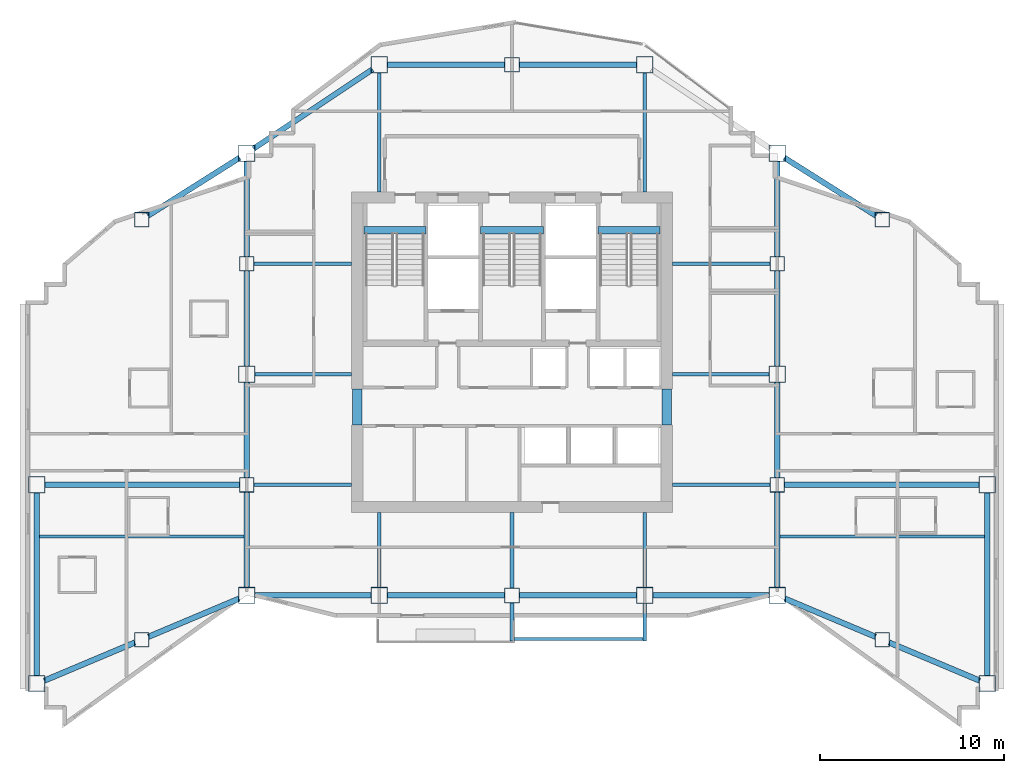
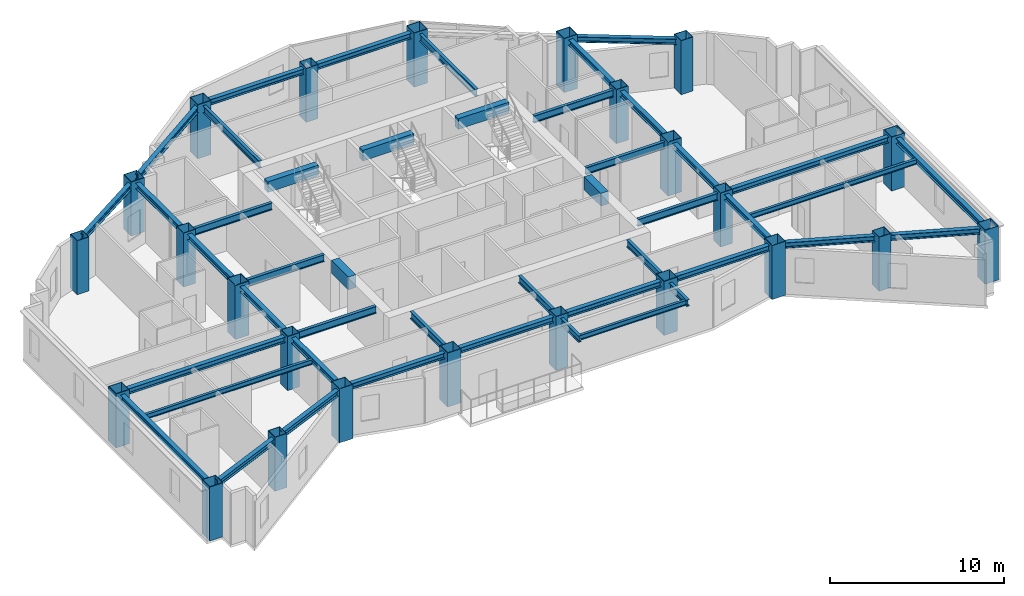
# One storey, part 1 of 12: 46 beams, 24 columns.
"""IFC4 building model written with IfcOpenShell, lengths in metres."""

from ifc_helpers import new_model, si_unit, direction, frame, origin, origin_2d, place, context, subcontext, project, spatial, rectangle, hollow_rectangle, i_section, extrude, material, material_profile, profile_set, type_object, element, save


model = new_model("IFC4")

# Units and contexts
model_context = context("Model", 3, precision=1e-05, world=origin(), true_north=direction((0.0, 1.0)))
body_context = subcontext(model_context, "Body", "Model", "MODEL_VIEW")
ifc_project = project(units=[si_unit("LENGTHUNIT", "METRE"), si_unit("AREAUNIT", "SQUARE_METRE"), si_unit("VOLUMEUNIT", "CUBIC_METRE"), si_unit("PLANEANGLEUNIT", "RADIAN"), si_unit("MASSUNIT", "GRAM", prefix="KILO")], contexts=[model_context])

# Site, building, storey
site_placement = place(None, origin())
site = spatial("IfcSite", under=ifc_project, at=site_placement, CompositionType="ELEMENT")
building_placement = place(site_placement, origin())
building = spatial("IfcBuilding", under=site, at=building_placement, Name="Haolan Belvedere Tower", CompositionType="ELEMENT")
storey_placement = place(building_placement, frame((0.0, 0.0, 184.199951171875)))
storey = spatial("IfcBuildingStorey", under=building, at=storey_placement, Name="L46", CompositionType="ELEMENT", Elevation=184.199951171875)

# Columns
ifc_material_1 = material(Name="Steel Q390GJC", Category="steel")
ifc_material_profile_1 = material_profile(ifc_material_1, hollow_rectangle(XDim=0.800048828125, YDim=0.800048828125, WallThickness=0.030029296875, at=origin_2d()), Name="Steel Q390GJC")
ifc_profile_set_1 = profile_set([ifc_material_profile_1], Name="Steel Q390GJC")
column_type_1 = type_object("IfcColumnType", Name="COL-BOX800x800x30", PredefinedType="COLUMN", material=ifc_profile_set_1)
for number, where, z_axis, x_axis, name in (
    (1, (24.0, 27.60009765625, 0.0), (0.0, 0.0, 1.0), (1.0, 0.0, 0.0), "L46 column TC-T3-W1 (BOX800x800x30)"),
    (2, (24.0, 39.60009765625, 0.0), (0.0, 0.0, 1.0), (1.0, 0.0, 0.0), "L46 column TC-T3-W2 (BOX800x800x30)"),
    (3, (52.800048828125, 27.60009765625, 0.0), (0.0, 0.0, 1.0), (1.0, 0.0, 0.0), "L46 column TC-T3-E1 (BOX800x800x30)"),
    (4, (52.800048828125, 39.60009765625, 0.0), (0.0, 0.0, 1.0), (1.0, 0.0, 0.0), "L46 column TC-T3-E2 (BOX800x800x30)"),
    (5, (38.39990234375, 21.60009765625, 0.0), (0.0, 0.0, 1.0), (1.0, 0.0, 0.0), "L46 column TC-T3-SM (BOX800x800x30)"),
    (6, (38.39990234375, 50.39990234375, 0.0), (0.0, 0.0, 1.0), (1.0, 0.0, 0.0), "L46 column TC-T3-NM (BOX800x800x30)"),
    (7, (18.300048828125, 19.199951171875, 0.0), (0.0, 0.0, 1.0), (1.0, 0.0, 0.0), "L46 column TC-T2-S1 (BOX800x800x30)"),
    (8, (18.300048828125, 42.0, 0.0), (0.0, 0.0, 1.0), (1.0, 0.0, 0.0), "L46 column TC-T2-N1 (BOX800x800x30)"),
    (9, (58.5, 19.199951171875, 0.0), (0.0, 0.0, 1.0), (1.0, 0.0, 0.0), "L46 column TC-T4-S1 (BOX800x800x30)"),
    (10, (58.5, 42.0, 0.0), (0.0, 0.0, 1.0), (1.0, 0.0, 0.0), "L46 column TC-T4-N1 (BOX800x800x30)"),
):
    element("IfcColumn", number, at=place(storey_placement, frame(where, z_axis=z_axis, x_axis=x_axis)), inside=storey, type_object=column_type_1, Name=name, PredefinedType="COLUMN", context=body_context, shape_type="SweptSolid", body=[
        extrude(hollow_rectangle(XDim=0.800048828125, YDim=0.800048828125, WallThickness=0.030029296875, at=origin_2d()), origin(), (0.0, 0.0, 1.0), 3.800048828125),
    ])
ifc_material_profile_2 = material_profile(ifc_material_1, hollow_rectangle(XDim=0.89990234375, YDim=0.89990234375, WallThickness=0.033935546875, at=origin_2d()), Name="Steel Q390GJC")
ifc_profile_set_2 = profile_set([ifc_material_profile_2], Name="Steel Q390GJC")
column_type_2 = type_object("IfcColumnType", Name="COL-BOX900x900x34", PredefinedType="COLUMN", material=ifc_profile_set_2)
for number, where, z_axis, x_axis, name in (
    (11, (24.0, 21.60009765625, 0.0), (0.0, 0.0, 1.0), (1.0, 0.0, 0.0), "L46 column MC-T3-SW (BOX900x900x34)"),
    (12, (24.0, 33.60009765625, 0.0), (0.0, 0.0, 1.0), (1.0, 0.0, 0.0), "L46 column MC-T3-MW (BOX900x900x34)"),
    (13, (24.0, 45.60009765625, 0.0), (0.0, 0.0, 1.0), (1.0, 0.0, 0.0), "L46 column MC-T3-NW (BOX900x900x34)"),
    (14, (52.800048828125, 21.60009765625, 0.0), (0.0, 0.0, 1.0), (1.0, 0.0, 0.0), "L46 column MC-T3-SE (BOX900x900x34)"),
    (15, (52.800048828125, 33.60009765625, 0.0), (0.0, 0.0, 1.0), (1.0, 0.0, 0.0), "L46 column MC-T3-ME (BOX900x900x34)"),
    (16, (52.800048828125, 45.60009765625, 0.0), (0.0, 0.0, 1.0), (1.0, 0.0, 0.0), "L46 column MC-T3-NE (BOX900x900x34)"),
    (17, (31.199951171875, 21.60009765625, 0.0), (0.0, 0.0, 1.0), (1.0, 0.0, 0.0), "L46 column MC-T3-S1 (BOX900x900x34)"),
    (18, (45.60009765625, 21.60009765625, 0.0), (0.0, 0.0, 1.0), (1.0, 0.0, 0.0), "L46 column MC-T3-S2 (BOX900x900x34)"),
    (19, (31.199951171875, 50.39990234375, 0.0), (0.0, 0.0, 1.0), (1.0, 0.0, 0.0), "L46 column MC-T3-N1 (BOX900x900x34)"),
    (20, (45.60009765625, 50.39990234375, 0.0), (0.0, 0.0, 1.0), (1.0, 0.0, 0.0), "L46 column MC-T3-N2 (BOX900x900x34)"),
    (21, (12.60009765625, 16.800048828125, 0.0), (0.0, 0.0, 1.0), (1.0, 0.0, 0.0), "L46 column MC-T2-SW (BOX900x900x34)"),
    (22, (12.60009765625, 27.60009765625, 0.0), (0.0, 0.0, 1.0), (1.0, 0.0, 0.0), "L46 column MC-T2-MW (BOX900x900x34)"),
    (23, (64.199951171875, 16.800048828125, 0.0), (0.0, 0.0, 1.0), (1.0, 0.0, 0.0), "L46 column MC-T4-SE (BOX900x900x34)"),
    (24, (64.199951171875, 27.60009765625, 0.0), (0.0, 0.0, 1.0), (1.0, 0.0, 0.0), "L46 column MC-T4-ME (BOX900x900x34)"),
):
    element("IfcColumn", number, at=place(storey_placement, frame(where, z_axis=z_axis, x_axis=x_axis)), inside=storey, type_object=column_type_2, Name=name, PredefinedType="COLUMN", context=body_context, shape_type="SweptSolid", body=[
        extrude(hollow_rectangle(XDim=0.89990234375, YDim=0.89990234375, WallThickness=0.033935546875, at=origin_2d()), origin(), (0.0, 0.0, 1.0), 3.800048828125),
    ])

# Beams
ifc_material_2 = material(Name="Steel Q355B", Category="steel")
ifc_material_profile_3 = material_profile(ifc_material_2, i_section(OverallWidth=0.300048828125, OverallDepth=0.389892578125, WebThickness=0.010009765625, FlangeThickness=0.01611328125, FilletRadius=0.02197265625, at=origin_2d()), Name="Steel Q355B")
ifc_profile_set_3 = profile_set([ifc_material_profile_3], Name="Steel Q355B")
beam_type_1 = type_object("IfcBeamType", Name="BM-HM390x300x10x16", PredefinedType="SPANDREL", material=ifc_profile_set_3)
for number, where, z_axis, x_axis, name in (
    (25, (24.0, 22.050048828125, 3.425048828125), (0.0, 1.0, 0.0), (-1.0, 0.0, 0.0), "L46 spandrel girder MC-T3-SW-TC-T3-W1"),
    (26, (24.0, 28.0, 3.425048828125), (0.0, 1.0, 0.0), (-1.0, 0.0, 0.0), "L46 spandrel girder TC-T3-W1-MC-T3-MW"),
    (27, (24.0, 34.050048828125, 3.425048828125), (0.0, 1.0, 0.0), (-1.0, 0.0, 0.0), "L46 spandrel girder MC-T3-MW-TC-T3-W2"),
    (28, (24.0, 40.0, 3.425048828125), (0.0, 1.0, 0.0), (-1.0, 0.0, 0.0), "L46 spandrel girder TC-T3-W2-MC-T3-NW"),
    (29, (52.800048828125, 22.050048828125, 3.425048828125), (0.0, 1.0, 0.0), (-1.0, 0.0, 0.0), "L46 spandrel girder MC-T3-SE-TC-T3-E1"),
    (30, (52.800048828125, 28.0, 3.425048828125), (0.0, 1.0, 0.0), (-1.0, 0.0, 0.0), "L46 spandrel girder TC-T3-E1-MC-T3-ME"),
    (31, (52.800048828125, 34.050048828125, 3.425048828125), (0.0, 1.0, 0.0), (-1.0, 0.0, 0.0), "L46 spandrel girder MC-T3-ME-TC-T3-E2"),
    (32, (52.800048828125, 40.0, 3.425048828125), (0.0, 1.0, 0.0), (-1.0, 0.0, 0.0), "L46 spandrel girder TC-T3-E2-MC-T3-NE"),
):
    element("IfcBeam", number, at=place(storey_placement, frame(where, z_axis=z_axis, x_axis=x_axis)), inside=storey, type_object=beam_type_1, Name=name, PredefinedType="SPANDREL", context=body_context, shape_type="SweptSolid", body=[
        extrude(i_section(OverallWidth=0.300048828125, OverallDepth=0.389892578125, WebThickness=0.010009765625, FlangeThickness=0.01611328125, FilletRadius=0.02197265625, at=origin_2d()), origin(), (0.0, 0.0, 1.0), 5.14990234375),
    ])
beam_1_placement = place(storey_placement, frame((24.449951171875, 21.60009765625, 3.425048828125), z_axis=(1.0, 0.0, 0.0), x_axis=(0.0, 1.0, 0.0)))
element("IfcBeam", 33, at=beam_1_placement, inside=storey, type_object=beam_type_1, Name="L46 spandrel girder MC-T3-SW-MC-T3-S1", PredefinedType="SPANDREL", context=body_context, shape_type="SweptSolid", body=[
    extrude(i_section(OverallWidth=0.300048828125, OverallDepth=0.389892578125, WebThickness=0.010009765625, FlangeThickness=0.01611328125, FilletRadius=0.02197265625, at=origin_2d()), origin(), (0.0, 0.0, 1.0), 6.300048828125),
])
beam_2_placement = place(storey_placement, frame((31.64990234375, 21.60009765625, 3.425048828125), z_axis=(1.0, 0.0, 0.0), x_axis=(0.0, 1.0, 0.0)))
element("IfcBeam", 34, at=beam_2_placement, inside=storey, type_object=beam_type_1, Name="L46 spandrel girder MC-T3-S1-TC-T3-SM", PredefinedType="SPANDREL", context=body_context, shape_type="SweptSolid", body=[
    extrude(i_section(OverallWidth=0.300048828125, OverallDepth=0.389892578125, WebThickness=0.010009765625, FlangeThickness=0.01611328125, FilletRadius=0.02197265625, at=origin_2d()), origin(), (0.0, 0.0, 1.0), 6.35009765625),
])
beam_3_placement = place(storey_placement, frame((38.800048828125, 21.60009765625, 3.425048828125), z_axis=(1.0, 0.0, 0.0), x_axis=(0.0, 1.0, 0.0)))
element("IfcBeam", 35, at=beam_3_placement, inside=storey, type_object=beam_type_1, Name="L46 spandrel girder TC-T3-SM-MC-T3-S2", PredefinedType="SPANDREL", context=body_context, shape_type="SweptSolid", body=[
    extrude(i_section(OverallWidth=0.300048828125, OverallDepth=0.389892578125, WebThickness=0.010009765625, FlangeThickness=0.01611328125, FilletRadius=0.02197265625, at=origin_2d()), origin(), (0.0, 0.0, 1.0), 6.349853515625),
])
beam_4_placement = place(storey_placement, frame((46.050048828125, 21.60009765625, 3.425048828125), z_axis=(1.0, 0.0, 0.0), x_axis=(0.0, 1.0, 0.0)))
element("IfcBeam", 36, at=beam_4_placement, inside=storey, type_object=beam_type_1, Name="L46 spandrel girder MC-T3-S2-MC-T3-SE", PredefinedType="SPANDREL", context=body_context, shape_type="SweptSolid", body=[
    extrude(i_section(OverallWidth=0.300048828125, OverallDepth=0.389892578125, WebThickness=0.010009765625, FlangeThickness=0.01611328125, FilletRadius=0.02197265625, at=origin_2d()), origin(), (0.0, 0.0, 1.0), 6.300048828125),
])
beam_5_placement = place(storey_placement, frame((24.37451171875, 45.849609375, 3.425048828125), z_axis=(0.832050294338, 0.554700196225, 0.0), x_axis=(-0.554700196225, 0.832050294338, 0.0)))
element("IfcBeam", 37, at=beam_5_placement, inside=storey, type_object=beam_type_1, Name="L46 spandrel girder MC-T3-NW-MC-T3-N1", PredefinedType="SPANDREL", context=body_context, shape_type="SweptSolid", body=[
    extrude(i_section(OverallWidth=0.300048828125, OverallDepth=0.389892578125, WebThickness=0.010009765625, FlangeThickness=0.01611328125, FilletRadius=0.02197265625, at=origin_2d()), origin(), (0.0, 0.0, 1.0), 7.75341796875),
])
beam_6_placement = place(storey_placement, frame((31.64990234375, 50.39990234375, 3.425048828125), z_axis=(1.0, 0.0, 0.0), x_axis=(0.0, 1.0, 0.0)))
element("IfcBeam", 38, at=beam_6_placement, inside=storey, type_object=beam_type_1, Name="L46 spandrel girder MC-T3-N1-TC-T3-NM", PredefinedType="SPANDREL", context=body_context, shape_type="SweptSolid", body=[
    extrude(i_section(OverallWidth=0.300048828125, OverallDepth=0.389892578125, WebThickness=0.010009765625, FlangeThickness=0.01611328125, FilletRadius=0.02197265625, at=origin_2d()), origin(), (0.0, 0.0, 1.0), 6.35009765625),
])
beam_7_placement = place(storey_placement, frame((38.800048828125, 50.39990234375, 3.425048828125), z_axis=(1.0, 0.0, 0.0), x_axis=(0.0, 1.0, 0.0)))
element("IfcBeam", 39, at=beam_7_placement, inside=storey, type_object=beam_type_1, Name="L46 spandrel girder TC-T3-NM-MC-T3-N2", PredefinedType="SPANDREL", context=body_context, shape_type="SweptSolid", body=[
    extrude(i_section(OverallWidth=0.300048828125, OverallDepth=0.389892578125, WebThickness=0.010009765625, FlangeThickness=0.01611328125, FilletRadius=0.02197265625, at=origin_2d()), origin(), (0.0, 0.0, 1.0), 6.349853515625),
])
beam_8_placement = place(storey_placement, frame((12.60009765625, 17.25, 3.425048828125), z_axis=(0.0, 1.0, 0.0), x_axis=(-1.0, 0.0, 0.0)))
element("IfcBeam", 40, at=beam_8_placement, inside=storey, type_object=beam_type_1, Name="L46 spandrel girder MC-T2-SW-MC-T2-MW", PredefinedType="SPANDREL", context=body_context, shape_type="SweptSolid", body=[
    extrude(i_section(OverallWidth=0.300048828125, OverallDepth=0.389892578125, WebThickness=0.010009765625, FlangeThickness=0.01611328125, FilletRadius=0.02197265625, at=origin_2d()), origin(), (0.0, 0.0, 1.0), 9.89990234375),
])
beam_9_placement = place(storey_placement, frame((13.0146484375, 16.974609375, 3.425048828125), z_axis=(0.921644850741, 0.388034494733, 0.0), x_axis=(-0.388034494733, 0.921644850741, 0.0)))
element("IfcBeam", 41, at=beam_9_placement, inside=storey, type_object=beam_type_1, Name="L46 spandrel girder MC-T2-SW-TC-T2-S1", PredefinedType="SPANDREL", context=body_context, shape_type="SweptSolid", body=[
    extrude(i_section(OverallWidth=0.300048828125, OverallDepth=0.389892578125, WebThickness=0.010009765625, FlangeThickness=0.01611328125, FilletRadius=0.02197265625, at=origin_2d()), origin(), (0.0, 0.0, 1.0), 5.334716796875),
])
beam_10_placement = place(storey_placement, frame((18.668701171875, 19.355224609375, 3.425048828125), z_axis=(0.921637959557, 0.388050862006, 0.0), x_axis=(-0.388050862006, 0.921637959557, 0.0)))
element("IfcBeam", 42, at=beam_10_placement, inside=storey, type_object=beam_type_1, Name="L46 spandrel girder TC-T2-S1-MC-T3-SW", PredefinedType="SPANDREL", context=body_context, shape_type="SweptSolid", body=[
    extrude(i_section(OverallWidth=0.300048828125, OverallDepth=0.389892578125, WebThickness=0.010009765625, FlangeThickness=0.01611328125, FilletRadius=0.02197265625, at=origin_2d()), origin(), (0.0, 0.0, 1.0), 5.33447265625),
])
beam_11_placement = place(storey_placement, frame((18.63818359375, 42.213623046875, 3.425048828125), z_axis=(0.845502688092, 0.533971164417, 0.0), x_axis=(-0.533971164417, 0.845502688092, 0.0)))
element("IfcBeam", 43, at=beam_11_placement, inside=storey, type_object=beam_type_1, Name="L46 spandrel girder TC-T2-N1-MC-T3-NW", PredefinedType="SPANDREL", context=body_context, shape_type="SweptSolid", body=[
    extrude(i_section(OverallWidth=0.300048828125, OverallDepth=0.389892578125, WebThickness=0.010009765625, FlangeThickness=0.01611328125, FilletRadius=0.02197265625, at=origin_2d()), origin(), (0.0, 0.0, 1.0), 5.8916015625),
])
beam_12_placement = place(storey_placement, frame((13.050048828125, 27.60009765625, 3.425048828125), z_axis=(1.0, 0.0, 0.0), x_axis=(0.0, 1.0, 0.0)))
element("IfcBeam", 44, at=beam_12_placement, inside=storey, type_object=beam_type_1, Name="L46 spandrel girder MC-T2-MW-TC-T3-W1", PredefinedType="SPANDREL", context=body_context, shape_type="SweptSolid", body=[
    extrude(i_section(OverallWidth=0.300048828125, OverallDepth=0.389892578125, WebThickness=0.010009765625, FlangeThickness=0.01611328125, FilletRadius=0.02197265625, at=origin_2d()), origin(), (0.0, 0.0, 1.0), 10.550048828125),
])
beam_13_placement = place(storey_placement, frame((64.199951171875, 17.25, 3.425048828125), z_axis=(0.0, 1.0, 0.0), x_axis=(-1.0, 0.0, 0.0)))
element("IfcBeam", 45, at=beam_13_placement, inside=storey, type_object=beam_type_1, Name="L46 spandrel girder MC-T4-SE-MC-T4-ME", PredefinedType="SPANDREL", context=body_context, shape_type="SweptSolid", body=[
    extrude(i_section(OverallWidth=0.300048828125, OverallDepth=0.389892578125, WebThickness=0.010009765625, FlangeThickness=0.01611328125, FilletRadius=0.02197265625, at=origin_2d()), origin(), (0.0, 0.0, 1.0), 9.89990234375),
])
for number, where, z_axis, x_axis, name in (
    (46, (53.21484375, 21.42529296875, 3.425048828125), (0.921637959557, -0.388050862006, 0.0), (0.388050862006, 0.921637959557, 0.0), "L46 spandrel girder MC-T3-SE-TC-T4-S1"),
    (47, (58.86865234375, 19.044677734375, 3.425048828125), (0.921637959557, -0.388050862006, 0.0), (0.388050862006, 0.921637959557, 0.0), "L46 spandrel girder TC-T4-S1-MC-T4-SE"),
):
    element("IfcBeam", number, at=place(storey_placement, frame(where, z_axis=z_axis, x_axis=x_axis)), inside=storey, type_object=beam_type_1, Name=name, PredefinedType="SPANDREL", context=body_context, shape_type="SweptSolid", body=[
        extrude(i_section(OverallWidth=0.300048828125, OverallDepth=0.389892578125, WebThickness=0.010009765625, FlangeThickness=0.01611328125, FilletRadius=0.02197265625, at=origin_2d()), origin(), (0.0, 0.0, 1.0), 5.33447265625),
    ])
beam_14_placement = place(storey_placement, frame((53.180419921875, 45.359619140625, 3.425048828125), z_axis=(0.845502688092, -0.533971164417, 0.0), x_axis=(0.533971164417, 0.845502688092, 0.0)))
element("IfcBeam", 48, at=beam_14_placement, inside=storey, type_object=beam_type_1, Name="L46 spandrel girder MC-T3-NE-TC-T4-N1", PredefinedType="SPANDREL", context=body_context, shape_type="SweptSolid", body=[
    extrude(i_section(OverallWidth=0.300048828125, OverallDepth=0.389892578125, WebThickness=0.010009765625, FlangeThickness=0.01611328125, FilletRadius=0.02197265625, at=origin_2d()), origin(), (0.0, 0.0, 1.0), 5.8916015625),
])
beam_15_placement = place(storey_placement, frame((53.199951171875, 27.60009765625, 3.425048828125), z_axis=(1.0, 0.0, 0.0), x_axis=(0.0, 1.0, 0.0)))
element("IfcBeam", 49, at=beam_15_placement, inside=storey, type_object=beam_type_1, Name="L46 spandrel girder TC-T3-E1-MC-T4-ME", PredefinedType="SPANDREL", context=body_context, shape_type="SweptSolid", body=[
    extrude(i_section(OverallWidth=0.300048828125, OverallDepth=0.389892578125, WebThickness=0.010009765625, FlangeThickness=0.01611328125, FilletRadius=0.02197265625, at=origin_2d()), origin(), (0.0, 0.0, 1.0), 10.550048828125),
])
ifc_material_profile_4 = material_profile(ifc_material_2, i_section(OverallWidth=0.175048828125, OverallDepth=0.35009765625, WebThickness=0.007080078125, FlangeThickness=0.010986328125, FilletRadius=0.012939453125, at=origin_2d()), Name="Steel Q355B")
ifc_profile_set_4 = profile_set([ifc_material_profile_4], Name="Steel Q355B")
beam_type_2 = type_object("IfcBeamType", Name="BM-HN350x175x7x11", PredefinedType="JOIST", material=ifc_profile_set_4)
for number, where, z_axis, x_axis, name in (
    (50, (12.75, 24.800048828125, 3.445068359375), (1.0, 0.0, 0.0), (0.0, 1.0, 0.0), "L46 west wing floor joist 1"),
    (51, (52.949951171875, 24.800048828125, 3.445068359375), (1.0, 0.0, 0.0), (0.0, 1.0, 0.0), "L46 east wing floor joist 1"),
):
    element("IfcBeam", number, at=place(storey_placement, frame(where, z_axis=z_axis, x_axis=x_axis)), inside=storey, type_object=beam_type_2, Name=name, PredefinedType="JOIST", context=body_context, shape_type="SweptSolid", body=[
        extrude(i_section(OverallWidth=0.175048828125, OverallDepth=0.35009765625, WebThickness=0.007080078125, FlangeThickness=0.010986328125, FilletRadius=0.012939453125, at=origin_2d()), origin(), (0.0, 0.0, 1.0), 11.10009765625),
    ])
beam_16_placement = place(storey_placement, frame((38.5, 19.239990234375, 3.39501953125), z_axis=(1.0, 0.0, 0.0), x_axis=(0.0, 1.0, 0.0)))
element("IfcBeam", 52, at=beam_16_placement, inside=storey, type_object=beam_type_2, Name="L47 tree-balcony front trimmer beam 1", PredefinedType="BEAM", context=body_context, shape_type="SweptSolid", body=[
    extrude(i_section(OverallWidth=0.175048828125, OverallDepth=0.35009765625, WebThickness=0.007080078125, FlangeThickness=0.010986328125, FilletRadius=0.012939453125, at=origin_2d()), origin(), (0.0, 0.0, 1.0), 7.0),
])
ifc_material_profile_5 = material_profile(ifc_material_2, i_section(OverallWidth=0.199951171875, OverallDepth=0.449951171875, WebThickness=0.009033203125, FlangeThickness=0.013916015625, FilletRadius=0.01611328125, at=origin_2d()), Name="Steel Q355B")
ifc_profile_set_5 = profile_set([ifc_material_profile_5], Name="Steel Q355B")
beam_type_3 = type_object("IfcBeamType", Name="BM-HN450x200x9x14", PredefinedType="BEAM", material=ifc_profile_set_5)
beam_17_placement = place(storey_placement, frame((38.39990234375, 21.199951171875, 3.344970703125), z_axis=(0.0, -1.0, 0.0), x_axis=(1.0, 0.0, 0.0)))
element("IfcBeam", 53, at=beam_17_placement, inside=storey, type_object=beam_type_3, Name="L47 tree-balcony column cantilever TC-T3-SM", PredefinedType="BEAM", context=body_context, shape_type="SweptSolid", body=[
    extrude(i_section(OverallWidth=0.199951171875, OverallDepth=0.449951171875, WebThickness=0.009033203125, FlangeThickness=0.013916015625, FilletRadius=0.01611328125, at=origin_2d()), origin(), (0.0, 0.0, 1.0), 2.06005859375),
])
beam_18_placement = place(storey_placement, frame((45.60009765625, 21.14990234375, 3.344970703125), z_axis=(0.0, -1.0, 0.0), x_axis=(1.0, 0.0, 0.0)))
element("IfcBeam", 54, at=beam_18_placement, inside=storey, type_object=beam_type_3, Name="L47 tree-balcony column cantilever MC-T3-S2", PredefinedType="BEAM", context=body_context, shape_type="SweptSolid", body=[
    extrude(i_section(OverallWidth=0.199951171875, OverallDepth=0.449951171875, WebThickness=0.009033203125, FlangeThickness=0.013916015625, FilletRadius=0.01611328125, at=origin_2d()), origin(), (0.0, 0.0, 1.0), 2.010009765625),
])
ifc_material_profile_6 = material_profile(ifc_material_2, i_section(OverallWidth=0.199951171875, OverallDepth=0.5, WebThickness=0.010009765625, FlangeThickness=0.01611328125, FilletRadius=0.02001953125, at=origin_2d()), Name="Steel Q355B")
ifc_profile_set_6 = profile_set([ifc_material_profile_6], Name="Steel Q355B")
beam_type_4 = type_object("IfcBeamType", Name="BM-HN500x200x10x16", PredefinedType="BEAM", material=ifc_profile_set_6)
beam_19_placement = place(storey_placement, frame((24.449951171875, 33.60009765625, 3.3701171875), z_axis=(1.0, 0.0, 0.0), x_axis=(0.0, 1.0, 0.0)))
element("IfcBeam", 55, at=beam_19_placement, inside=storey, type_object=beam_type_4, Name="L46 core tie beam from MC-T3-MW", PredefinedType="BEAM", context=body_context, shape_type="SweptSolid", body=[
    extrude(i_section(OverallWidth=0.199951171875, OverallDepth=0.5, WebThickness=0.010009765625, FlangeThickness=0.01611328125, FilletRadius=0.02001953125, at=origin_2d()), origin(), (0.0, 0.0, 1.0), 5.25),
])
for number, where, z_axis, x_axis, name in (
    (56, (24.39990234375, 27.60009765625, 3.3701171875), (1.0, 0.0, 0.0), (0.0, 1.0, 0.0), "L46 core tie beam from TC-T3-W1"),
    (57, (24.39990234375, 39.60009765625, 3.3701171875), (1.0, 0.0, 0.0), (0.0, 1.0, 0.0), "L46 core tie beam from TC-T3-W2"),
):
    element("IfcBeam", number, at=place(storey_placement, frame(where, z_axis=z_axis, x_axis=x_axis)), inside=storey, type_object=beam_type_4, Name=name, PredefinedType="BEAM", context=body_context, shape_type="SweptSolid", body=[
        extrude(i_section(OverallWidth=0.199951171875, OverallDepth=0.5, WebThickness=0.010009765625, FlangeThickness=0.01611328125, FilletRadius=0.02001953125, at=origin_2d()), origin(), (0.0, 0.0, 1.0), 5.300048828125),
    ])
beam_20_placement = place(storey_placement, frame((52.35009765625, 33.60009765625, 3.3701171875), z_axis=(-1.0, 0.0, 0.0), x_axis=(0.0, -1.0, 0.0)))
element("IfcBeam", 58, at=beam_20_placement, inside=storey, type_object=beam_type_4, Name="L46 core tie beam from MC-T3-ME", PredefinedType="BEAM", context=body_context, shape_type="SweptSolid", body=[
    extrude(i_section(OverallWidth=0.199951171875, OverallDepth=0.5, WebThickness=0.010009765625, FlangeThickness=0.01611328125, FilletRadius=0.02001953125, at=origin_2d()), origin(), (0.0, 0.0, 1.0), 5.25),
])
for number, where, z_axis, x_axis, name in (
    (59, (52.39990234375, 27.60009765625, 3.3701171875), (-1.0, 0.0, 0.0), (0.0, -1.0, 0.0), "L46 core tie beam from TC-T3-E1"),
    (60, (52.39990234375, 39.60009765625, 3.3701171875), (-1.0, 0.0, 0.0), (0.0, -1.0, 0.0), "L46 core tie beam from TC-T3-E2"),
):
    element("IfcBeam", number, at=place(storey_placement, frame(where, z_axis=z_axis, x_axis=x_axis)), inside=storey, type_object=beam_type_4, Name=name, PredefinedType="BEAM", context=body_context, shape_type="SweptSolid", body=[
        extrude(i_section(OverallWidth=0.199951171875, OverallDepth=0.5, WebThickness=0.010009765625, FlangeThickness=0.01611328125, FilletRadius=0.02001953125, at=origin_2d()), origin(), (0.0, 0.0, 1.0), 5.2998046875),
    ])
beam_21_placement = place(storey_placement, frame((31.199951171875, 22.050048828125, 3.3701171875), z_axis=(0.0, 1.0, 0.0), x_axis=(-1.0, 0.0, 0.0)))
element("IfcBeam", 61, at=beam_21_placement, inside=storey, type_object=beam_type_4, Name="L46 core tie beam from MC-T3-S1", PredefinedType="BEAM", context=body_context, shape_type="SweptSolid", body=[
    extrude(i_section(OverallWidth=0.199951171875, OverallDepth=0.5, WebThickness=0.010009765625, FlangeThickness=0.01611328125, FilletRadius=0.02001953125, at=origin_2d()), origin(), (0.0, 0.0, 1.0), 4.050048828125),
])
beam_22_placement = place(storey_placement, frame((38.39990234375, 22.0, 3.3701171875), z_axis=(0.0, 1.0, 0.0), x_axis=(-1.0, 0.0, 0.0)))
element("IfcBeam", 62, at=beam_22_placement, inside=storey, type_object=beam_type_4, Name="L46 core tie beam from TC-T3-SM", PredefinedType="BEAM", context=body_context, shape_type="SweptSolid", body=[
    extrude(i_section(OverallWidth=0.199951171875, OverallDepth=0.5, WebThickness=0.010009765625, FlangeThickness=0.01611328125, FilletRadius=0.02001953125, at=origin_2d()), origin(), (0.0, 0.0, 1.0), 4.10009765625),
])
beam_23_placement = place(storey_placement, frame((45.60009765625, 22.050048828125, 3.3701171875), z_axis=(0.0, 1.0, 0.0), x_axis=(-1.0, 0.0, 0.0)))
element("IfcBeam", 63, at=beam_23_placement, inside=storey, type_object=beam_type_4, Name="L46 core tie beam from MC-T3-S2", PredefinedType="BEAM", context=body_context, shape_type="SweptSolid", body=[
    extrude(i_section(OverallWidth=0.199951171875, OverallDepth=0.5, WebThickness=0.010009765625, FlangeThickness=0.01611328125, FilletRadius=0.02001953125, at=origin_2d()), origin(), (0.0, 0.0, 1.0), 4.050048828125),
])
for number, where, z_axis, x_axis, name in (
    (64, (31.199951171875, 49.949951171875, 3.3701171875), (0.0, -1.0, 0.0), (1.0, 0.0, 0.0), "L46 core tie beam from MC-T3-N1"),
    (65, (45.60009765625, 49.949951171875, 3.3701171875), (0.0, -1.0, 0.0), (1.0, 0.0, 0.0), "L46 core tie beam from MC-T3-N2"),
):
    element("IfcBeam", number, at=place(storey_placement, frame(where, z_axis=z_axis, x_axis=x_axis)), inside=storey, type_object=beam_type_4, Name=name, PredefinedType="BEAM", context=body_context, shape_type="SweptSolid", body=[
        extrude(i_section(OverallWidth=0.199951171875, OverallDepth=0.5, WebThickness=0.010009765625, FlangeThickness=0.01611328125, FilletRadius=0.02001953125, at=origin_2d()), origin(), (0.0, 0.0, 1.0), 6.449951171875),
    ])
ifc_material_3 = material(Name="Concrete C50/60", Category="concrete")
ifc_material_profile_7 = material_profile(ifc_material_3, rectangle(XDim=0.39990234375, YDim=0.75, at=origin_2d()), Name="Concrete C50/60")
ifc_profile_set_7 = profile_set([ifc_material_profile_7], Name="Concrete C50/60")
beam_type_5 = type_object("IfcBeamType", Name="BM-RC400x750", PredefinedType="T_BEAM", material=ifc_profile_set_7)
beam_24_placement = place(storey_placement, frame((30.3798828125, 41.429931640625, 3.425048828125), z_axis=(1.0, 0.0, 0.0), x_axis=(0.0, 1.0, 0.0)))
element("IfcBeam", 66, at=beam_24_placement, inside=storey, type_object=beam_type_5, Name="L47 stair ST1 RC header trimmer beam", PredefinedType="BEAM", context=body_context, shape_type="SweptSolid", body=[
    extrude(rectangle(XDim=0.39990234375, YDim=0.75, at=origin_2d()), origin(), (0.0, 0.0, 1.0), 3.360107421875),
])
beam_25_placement = place(storey_placement, frame((36.699951171875, 41.429931640625, 3.425048828125), z_axis=(1.0, 0.0, 0.0), x_axis=(0.0, 1.0, 0.0)))
element("IfcBeam", 67, at=beam_25_placement, inside=storey, type_object=beam_type_5, Name="L47 stair ST3 RC header trimmer beam", PredefinedType="BEAM", context=body_context, shape_type="SweptSolid", body=[
    extrude(rectangle(XDim=0.39990234375, YDim=0.75, at=origin_2d()), origin(), (0.0, 0.0, 1.0), 3.400146484375),
])
beam_26_placement = place(storey_placement, frame((43.06005859375, 41.429931640625, 3.425048828125), z_axis=(1.0, 0.0, 0.0), x_axis=(0.0, 1.0, 0.0)))
element("IfcBeam", 68, at=beam_26_placement, inside=storey, type_object=beam_type_5, Name="L47 stair ST2 RC header trimmer beam", PredefinedType="BEAM", context=body_context, shape_type="SweptSolid", body=[
    extrude(rectangle(XDim=0.39990234375, YDim=0.75, at=origin_2d()), origin(), (0.0, 0.0, 1.0), 3.35986328125),
])
ifc_material_4 = material(Name="Concrete C60/75", Category="concrete")
ifc_material_profile_8 = material_profile(ifc_material_4, rectangle(XDim=0.5, YDim=0.89990234375, at=origin_2d()), Name="Concrete C60/75")
ifc_profile_set_8 = profile_set([ifc_material_profile_8], Name="Concrete C60/75")
beam_type_6 = type_object("IfcBeamType", Name="BM-RC500x900", PredefinedType="LINTEL", material=ifc_profile_set_8)
for number, where, z_axis, x_axis, name in (
    (69, (30.0, 30.85009765625, 3.170166015625), (0.0, 1.0, 0.0), (-1.0, 0.0, 0.0), "L46 west core coupling beam CB-01"),
    (70, (46.800048828125, 30.85009765625, 3.170166015625), (0.0, 1.0, 0.0), (-1.0, 0.0, 0.0), "L46 east core coupling beam CB-01"),
):
    element("IfcBeam", number, at=place(storey_placement, frame(where, z_axis=z_axis, x_axis=x_axis)), inside=storey, type_object=beam_type_6, Name=name, PredefinedType="LINTEL", context=body_context, shape_type="SweptSolid", body=[
        extrude(rectangle(XDim=0.5, YDim=0.89990234375, at=origin_2d()), origin(), (0.0, 0.0, 1.0), 1.949951171875),
    ])

save(model, "model.ifc")
